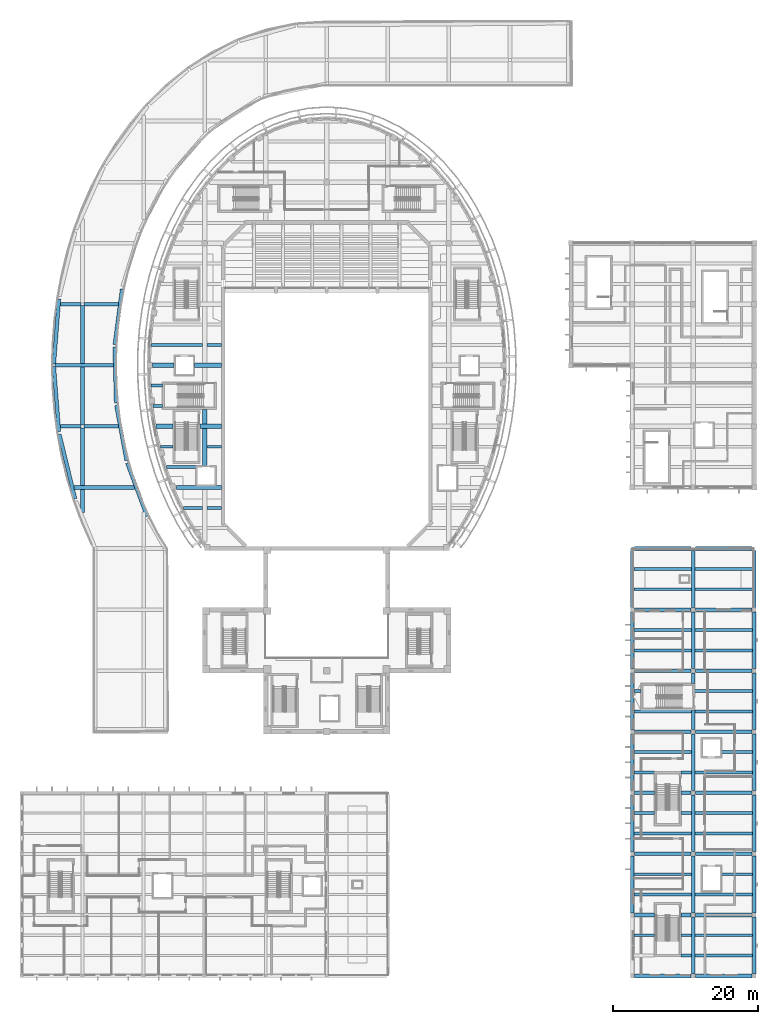
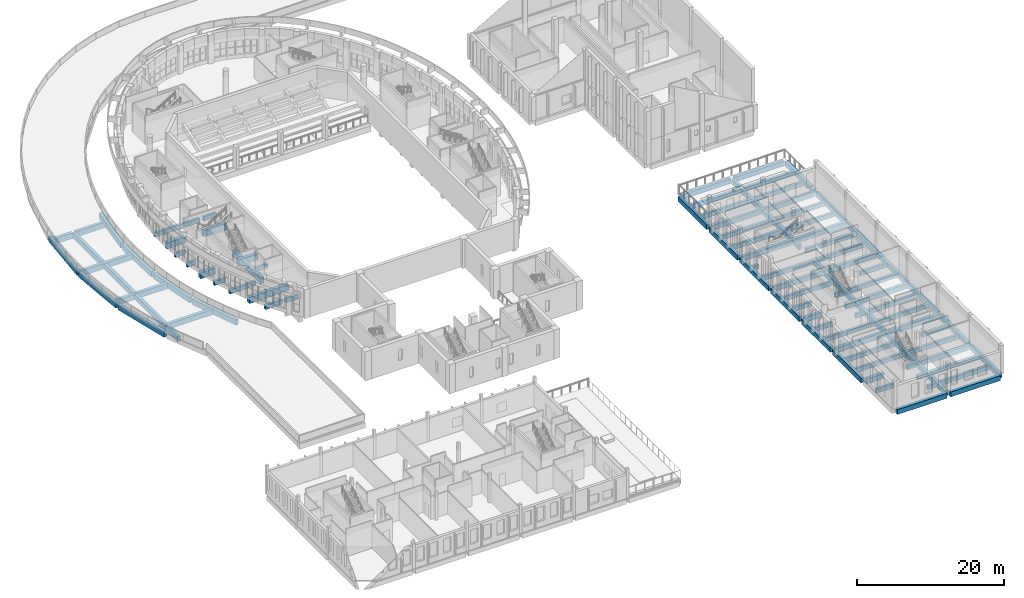
# One storey, part 3 of 79: 100 beams.
"""IFC4 building model written with IfcOpenShell, lengths in metres."""

from ifc_helpers import new_model, si_unit, direction, frame, origin, origin_2d, place, context, subcontext, project, spatial, rectangle, extrude, material, material_profile, profile_set, type_object, element, save


model = new_model("IFC4")

# Units and contexts
model_context = context("Model", 3, precision=1e-05, world=origin(), true_north=direction((0.0, 1.0)))
body_context = subcontext(model_context, "Body", "Model", "MODEL_VIEW")
ifc_project = project(units=[si_unit("LENGTHUNIT", "METRE"), si_unit("AREAUNIT", "SQUARE_METRE"), si_unit("VOLUMEUNIT", "CUBIC_METRE"), si_unit("PLANEANGLEUNIT", "RADIAN"), si_unit("MASSUNIT", "GRAM", prefix="KILO")], contexts=[model_context])

# Site, building, storey
site_placement = place(None, origin())
site = spatial("IfcSite", under=ifc_project, at=site_placement, CompositionType="ELEMENT")
building_placement = place(site_placement, origin())
building = spatial("IfcBuilding", under=site, at=building_placement, Name="Larchfold Concert Hall", CompositionType="ELEMENT")
storey_placement = place(building_placement, frame((0.0, 0.0, 14.39990234375)))
storey = spatial("IfcBuildingStorey", under=building, at=storey_placement, Name="L03", CompositionType="ELEMENT", Elevation=14.39990234375)

# Beams
ifc_material_1 = material(Name="Concrete C35/45", Category="concrete")
ifc_material_profile_1 = material_profile(ifc_material_1, rectangle(XDim=0.39990234375, YDim=0.699951171875, at=origin_2d()))
ifc_profile_set_1 = profile_set([ifc_material_profile_1], Name="Concrete C35/45")
beam_type_1 = type_object("IfcBeamType", Name="Beam RC 400x700", PredefinedType="BEAM", material=ifc_profile_set_1)
beam_1_placement = place(storey_placement, frame((91.35009765625, 3.39990234375, -0.510009765625), z_axis=(1.0, 0.0, 0.0), x_axis=(0.0, 1.0, 0.0)))
element("IfcBeam", 1, at=beam_1_placement, inside=storey, type_object=beam_type_1, Name="Beam B0699", PredefinedType="BEAM", context=body_context, shape_type="SweptSolid", body=[
    extrude(rectangle(XDim=0.39990234375, YDim=0.699951171875, at=origin_2d()), origin(), (0.0, 0.0, 1.0), 1.39990234375),
])
beam_2_placement = place(storey_placement, frame((93.25, 3.39990234375, -0.510009765625), z_axis=(1.0, 0.0, 0.0), x_axis=(0.0, 1.0, 0.0)))
element("IfcBeam", 2, at=beam_2_placement, inside=storey, type_object=beam_type_1, Name="Beam B0700", PredefinedType="BEAM", context=body_context, shape_type="SweptSolid", body=[
    extrude(rectangle(XDim=0.39990234375, YDim=0.699951171875, at=origin_2d()), origin(), (0.0, 0.0, 1.0), 7.89990234375),
])
beam_3_placement = place(storey_placement, frame((84.85009765625, 6.199951171875, -0.510009765625), z_axis=(1.0, 0.0, 0.0), x_axis=(0.0, 1.0, 0.0)))
element("IfcBeam", 3, at=beam_3_placement, inside=storey, type_object=beam_type_1, Name="Beam B0701", PredefinedType="BEAM", context=body_context, shape_type="SweptSolid", body=[
    extrude(rectangle(XDim=0.39990234375, YDim=0.699951171875, at=origin_2d()), origin(), (0.0, 0.0, 1.0), 2.7998046875),
])
beam_4_placement = place(storey_placement, frame((91.35009765625, 6.199951171875, -0.510009765625), z_axis=(1.0, 0.0, 0.0), x_axis=(0.0, 1.0, 0.0)))
element("IfcBeam", 4, at=beam_4_placement, inside=storey, type_object=beam_type_1, Name="Beam B0702", PredefinedType="BEAM", context=body_context, shape_type="SweptSolid", body=[
    extrude(rectangle(XDim=0.39990234375, YDim=0.699951171875, at=origin_2d()), origin(), (0.0, 0.0, 1.0), 1.39990234375),
])
for number, where, z_axis, x_axis, name in (
    (5, (93.25, 6.199951171875, -0.510009765625), (1.0, 0.0, 0.0), (0.0, 1.0, 0.0), "Beam B0703"),
    (6, (84.85009765625, 11.800048828125, -0.510009765625), (1.0, 0.0, 0.0), (0.0, 1.0, 0.0), "Beam B0704"),
    (7, (93.25, 11.800048828125, -0.510009765625), (1.0, 0.0, 0.0), (0.0, 1.0, 0.0), "Beam B0705"),
    (8, (84.85009765625, 14.60009765625, -0.510009765625), (1.0, 0.0, 0.0), (0.0, 1.0, 0.0), "Beam B0706"),
):
    element("IfcBeam", number, at=place(storey_placement, frame(where, z_axis=z_axis, x_axis=x_axis)), inside=storey, type_object=beam_type_1, Name=name, PredefinedType="BEAM", context=body_context, shape_type="SweptSolid", body=[
        extrude(rectangle(XDim=0.39990234375, YDim=0.699951171875, at=origin_2d()), origin(), (0.0, 0.0, 1.0), 7.89990234375),
    ])
beam_5_placement = place(storey_placement, frame((96.89990234375, 14.60009765625, -0.510009765625), z_axis=(1.0, 0.0, 0.0), x_axis=(0.0, 1.0, 0.0)))
element("IfcBeam", 9, at=beam_5_placement, inside=storey, type_object=beam_type_1, Name="Beam B0707", PredefinedType="BEAM", context=body_context, shape_type="SweptSolid", body=[
    extrude(rectangle(XDim=0.39990234375, YDim=0.699951171875, at=origin_2d()), origin(), (0.0, 0.0, 1.0), 4.25),
])
for number, where, z_axis, x_axis, name in (
    (10, (84.85009765625, 20.199951171875, -0.510009765625), (1.0, 0.0, 0.0), (0.0, 1.0, 0.0), "Beam B0708"),
    (11, (93.25, 20.199951171875, -0.510009765625), (1.0, 0.0, 0.0), (0.0, 1.0, 0.0), "Beam B0709"),
):
    element("IfcBeam", number, at=place(storey_placement, frame(where, z_axis=z_axis, x_axis=x_axis)), inside=storey, type_object=beam_type_1, Name=name, PredefinedType="BEAM", context=body_context, shape_type="SweptSolid", body=[
        extrude(rectangle(XDim=0.39990234375, YDim=0.699951171875, at=origin_2d()), origin(), (0.0, 0.0, 1.0), 7.89990234375),
    ])
beam_6_placement = place(storey_placement, frame((84.85009765625, 23.0, -0.510009765625), z_axis=(1.0, 0.0, 0.0), x_axis=(0.0, 1.0, 0.0)))
element("IfcBeam", 12, at=beam_6_placement, inside=storey, type_object=beam_type_1, Name="Beam B0710", PredefinedType="BEAM", context=body_context, shape_type="SweptSolid", body=[
    extrude(rectangle(XDim=0.39990234375, YDim=0.699951171875, at=origin_2d()), origin(), (0.0, 0.0, 1.0), 2.7998046875),
])
beam_7_placement = place(storey_placement, frame((91.35009765625, 23.0, -0.510009765625), z_axis=(1.0, 0.0, 0.0), x_axis=(0.0, 1.0, 0.0)))
element("IfcBeam", 13, at=beam_7_placement, inside=storey, type_object=beam_type_1, Name="Beam B0711", PredefinedType="BEAM", context=body_context, shape_type="SweptSolid", body=[
    extrude(rectangle(XDim=0.39990234375, YDim=0.699951171875, at=origin_2d()), origin(), (0.0, 0.0, 1.0), 1.39990234375),
])
beam_8_placement = place(storey_placement, frame((93.25, 23.0, -0.510009765625), z_axis=(1.0, 0.0, 0.0), x_axis=(0.0, 1.0, 0.0)))
element("IfcBeam", 14, at=beam_8_placement, inside=storey, type_object=beam_type_1, Name="Beam B0712", PredefinedType="BEAM", context=body_context, shape_type="SweptSolid", body=[
    extrude(rectangle(XDim=0.39990234375, YDim=0.699951171875, at=origin_2d()), origin(), (0.0, 0.0, 1.0), 7.89990234375),
])
beam_9_placement = place(storey_placement, frame((84.85009765625, 28.60009765625, -0.510009765625), z_axis=(1.0, 0.0, 0.0), x_axis=(0.0, 1.0, 0.0)))
element("IfcBeam", 15, at=beam_9_placement, inside=storey, type_object=beam_type_1, Name="Beam B0713", PredefinedType="BEAM", context=body_context, shape_type="SweptSolid", body=[
    extrude(rectangle(XDim=0.39990234375, YDim=0.699951171875, at=origin_2d()), origin(), (0.0, 0.0, 1.0), 2.7998046875),
])
beam_10_placement = place(storey_placement, frame((91.35009765625, 28.60009765625, -0.510009765625), z_axis=(1.0, 0.0, 0.0), x_axis=(0.0, 1.0, 0.0)))
element("IfcBeam", 16, at=beam_10_placement, inside=storey, type_object=beam_type_1, Name="Beam B0714", PredefinedType="BEAM", context=body_context, shape_type="SweptSolid", body=[
    extrude(rectangle(XDim=0.39990234375, YDim=0.699951171875, at=origin_2d()), origin(), (0.0, 0.0, 1.0), 1.39990234375),
])
for number, where, z_axis, x_axis, name in (
    (17, (93.25, 28.60009765625, -0.510009765625), (1.0, 0.0, 0.0), (0.0, 1.0, 0.0), "Beam B0715"),
    (18, (84.85009765625, 31.39990234375, -0.510009765625), (1.0, 0.0, 0.0), (0.0, 1.0, 0.0), "Beam B0716"),
):
    element("IfcBeam", number, at=place(storey_placement, frame(where, z_axis=z_axis, x_axis=x_axis)), inside=storey, type_object=beam_type_1, Name=name, PredefinedType="BEAM", context=body_context, shape_type="SweptSolid", body=[
        extrude(rectangle(XDim=0.39990234375, YDim=0.699951171875, at=origin_2d()), origin(), (0.0, 0.0, 1.0), 7.89990234375),
    ])
beam_11_placement = place(storey_placement, frame((96.89990234375, 31.39990234375, -0.510009765625), z_axis=(1.0, 0.0, 0.0), x_axis=(0.0, 1.0, 0.0)))
element("IfcBeam", 19, at=beam_11_placement, inside=storey, type_object=beam_type_1, Name="Beam B0717", PredefinedType="BEAM", context=body_context, shape_type="SweptSolid", body=[
    extrude(rectangle(XDim=0.39990234375, YDim=0.699951171875, at=origin_2d()), origin(), (0.0, 0.0, 1.0), 4.25),
])
for number, where, z_axis, x_axis, name in (
    (20, (84.85009765625, 37.0, -0.510009765625), (1.0, 0.0, 0.0), (0.0, 1.0, 0.0), "Beam B0718"),
    (21, (93.25, 37.0, -0.510009765625), (1.0, 0.0, 0.0), (0.0, 1.0, 0.0), "Beam B0719"),
):
    element("IfcBeam", number, at=place(storey_placement, frame(where, z_axis=z_axis, x_axis=x_axis)), inside=storey, type_object=beam_type_1, Name=name, PredefinedType="BEAM", context=body_context, shape_type="SweptSolid", body=[
        extrude(rectangle(XDim=0.39990234375, YDim=0.699951171875, at=origin_2d()), origin(), (0.0, 0.0, 1.0), 7.89990234375),
    ])
beam_12_placement = place(storey_placement, frame((84.85009765625, 39.800048828125, -0.510009765625), z_axis=(1.0, 0.0, 0.0), x_axis=(0.0, 1.0, 0.0)))
element("IfcBeam", 22, at=beam_12_placement, inside=storey, type_object=beam_type_1, Name="Beam B0720", PredefinedType="BEAM", context=body_context, shape_type="SweptSolid", body=[
    extrude(rectangle(XDim=0.39990234375, YDim=0.699951171875, at=origin_2d()), origin(), (0.0, 0.0, 1.0), 0.949951171875),
])
beam_13_placement = place(storey_placement, frame((93.199951171875, 39.800048828125, -0.510009765625), z_axis=(1.0, 0.0, 0.0), x_axis=(0.0, 1.0, 0.0)))
element("IfcBeam", 23, at=beam_13_placement, inside=storey, type_object=beam_type_1, Name="Beam B0721", PredefinedType="BEAM", context=body_context, shape_type="SweptSolid", body=[
    extrude(rectangle(XDim=0.39990234375, YDim=0.699951171875, at=origin_2d()), origin(), (0.0, 0.0, 1.0), 7.949951171875),
])
for number, where, z_axis, x_axis, name in (
    (24, (84.85009765625, 45.39990234375, -0.510009765625), (1.0, 0.0, 0.0), (0.0, 1.0, 0.0), "Beam B0722"),
    (25, (93.25, 45.39990234375, -0.510009765625), (1.0, 0.0, 0.0), (0.0, 1.0, 0.0), "Beam B0723"),
    (26, (84.85009765625, 48.199951171875, -0.510009765625), (1.0, 0.0, 0.0), (0.0, 1.0, 0.0), "Beam B0724"),
    (27, (93.25, 48.199951171875, -0.510009765625), (1.0, 0.0, 0.0), (0.0, 1.0, 0.0), "Beam B0725"),
    (28, (84.85009765625, 53.800048828125, -0.510009765625), (1.0, 0.0, 0.0), (0.0, 1.0, 0.0), "Beam B0726"),
    (29, (93.25, 53.800048828125, -0.510009765625), (1.0, 0.0, 0.0), (0.0, 1.0, 0.0), "Beam B0727"),
    (30, (84.85009765625, 56.60009765625, -0.510009765625), (1.0, 0.0, 0.0), (0.0, 1.0, 0.0), "Beam B0728"),
    (31, (93.25, 56.60009765625, -0.510009765625), (1.0, 0.0, 0.0), (0.0, 1.0, 0.0), "Beam B0729"),
):
    element("IfcBeam", number, at=place(storey_placement, frame(where, z_axis=z_axis, x_axis=x_axis)), inside=storey, type_object=beam_type_1, Name=name, PredefinedType="BEAM", context=body_context, shape_type="SweptSolid", body=[
        extrude(rectangle(XDim=0.39990234375, YDim=0.699951171875, at=origin_2d()), origin(), (0.0, 0.0, 1.0), 7.89990234375),
    ])
beam_14_placement = place(storey_placement, frame((22.860107421875, 65.0, -0.5498046875), z_axis=(1.0, 0.0, 0.0), x_axis=(0.0, 1.0, 0.0)))
element("IfcBeam", 32, at=beam_14_placement, inside=storey, type_object=beam_type_1, Name="Beam B1390", PredefinedType="BEAM", context=body_context, shape_type="SweptSolid", body=[
    extrude(rectangle(XDim=0.39990234375, YDim=0.699951171875, at=origin_2d()), origin(), (0.0, 0.0, 1.0), 2.639892578125),
])
beam_15_placement = place(storey_placement, frame((26.10009765625, 65.0, -0.5498046875), z_axis=(1.0, 0.0, 0.0), x_axis=(0.0, 1.0, 0.0)))
element("IfcBeam", 33, at=beam_15_placement, inside=storey, type_object=beam_type_1, Name="Beam B1391", PredefinedType="BEAM", context=body_context, shape_type="SweptSolid", body=[
    extrude(rectangle(XDim=0.39990234375, YDim=0.699951171875, at=origin_2d()), origin(), (0.0, 0.0, 1.0), 1.989990234375),
])
beam_16_placement = place(storey_placement, frame((20.525634765625, 70.60009765625, -0.5498046875), z_axis=(1.0, 0.0, 0.0), x_axis=(0.0, 1.0, 0.0)))
element("IfcBeam", 34, at=beam_16_placement, inside=storey, type_object=beam_type_1, Name="Beam B1394", PredefinedType="BEAM", context=body_context, shape_type="SweptSolid", body=[
    extrude(rectangle(XDim=0.39990234375, YDim=0.699951171875, at=origin_2d()), origin(), (0.0, 0.0, 1.0), 4.074462890625),
])
beam_17_placement = place(storey_placement, frame((19.72119140625, 73.39990234375, -0.5498046875), z_axis=(1.0, 0.0, 0.0), x_axis=(0.0, 1.0, 0.0)))
element("IfcBeam", 35, at=beam_17_placement, inside=storey, type_object=beam_type_1, Name="Beam B1396", PredefinedType="BEAM", context=body_context, shape_type="SweptSolid", body=[
    extrude(rectangle(XDim=0.39990234375, YDim=0.699951171875, at=origin_2d()), origin(), (0.0, 0.0, 1.0), 1.728759765625),
])
beam_18_placement = place(storey_placement, frame((26.10009765625, 73.39990234375, -0.5498046875), z_axis=(1.0, 0.0, 0.0), x_axis=(0.0, 1.0, 0.0)))
element("IfcBeam", 36, at=beam_18_placement, inside=storey, type_object=beam_type_1, Name="Beam B1397", PredefinedType="BEAM", context=body_context, shape_type="SweptSolid", body=[
    extrude(rectangle(XDim=0.39990234375, YDim=0.699951171875, at=origin_2d()), origin(), (0.0, 0.0, 1.0), 1.989990234375),
])
beam_19_placement = place(storey_placement, frame((18.68017578125, 79.0, -0.5498046875), z_axis=(1.0, 0.0, 0.0), x_axis=(0.0, 1.0, 0.0)))
element("IfcBeam", 37, at=beam_19_placement, inside=storey, type_object=beam_type_1, Name="Beam B1400", PredefinedType="BEAM", context=body_context, shape_type="SweptSolid", body=[
    extrude(rectangle(XDim=0.39990234375, YDim=0.699951171875, at=origin_2d()), origin(), (0.0, 0.0, 1.0), 1.31982421875),
])
beam_20_placement = place(storey_placement, frame((18.421875, 81.800048828125, -0.5498046875), z_axis=(1.0, 0.0, 0.0), x_axis=(0.0, 1.0, 0.0)))
element("IfcBeam", 38, at=beam_20_placement, inside=storey, type_object=beam_type_1, Name="Beam B1402", PredefinedType="BEAM", context=body_context, shape_type="SweptSolid", body=[
    extrude(rectangle(XDim=0.39990234375, YDim=0.699951171875, at=origin_2d()), origin(), (0.0, 0.0, 1.0), 1.578125),
])
beam_21_placement = place(storey_placement, frame((18.422119140625, 87.39990234375, -0.5498046875), z_axis=(1.0, 0.0, 0.0), x_axis=(0.0, 1.0, 0.0)))
element("IfcBeam", 39, at=beam_21_placement, inside=storey, type_object=beam_type_1, Name="Beam B1404", PredefinedType="BEAM", context=body_context, shape_type="SweptSolid", body=[
    extrude(rectangle(XDim=0.39990234375, YDim=0.699951171875, at=origin_2d()), origin(), (0.0, 0.0, 1.0), 7.077880859375),
])
beam_22_placement = place(storey_placement, frame((26.10009765625, 87.39990234375, -0.5498046875), z_axis=(1.0, 0.0, 0.0), x_axis=(0.0, 1.0, 0.0)))
element("IfcBeam", 40, at=beam_22_placement, inside=storey, type_object=beam_type_1, Name="Beam B1405", PredefinedType="BEAM", context=body_context, shape_type="SweptSolid", body=[
    extrude(rectangle(XDim=0.39990234375, YDim=0.699951171875, at=origin_2d()), origin(), (0.0, 0.0, 1.0), 1.989990234375),
])
ifc_material_2 = material(Name="Concrete C35/45", Category="concrete")
ifc_material_profile_2 = material_profile(ifc_material_2, rectangle(XDim=0.5, YDim=0.800048828125, at=origin_2d()))
ifc_profile_set_2 = profile_set([ifc_material_profile_2], Name="Concrete C35/45")
beam_type_2 = type_object("IfcBeamType", Name="Beam RC 500x800", PredefinedType="BEAM", material=ifc_profile_set_2)
for number, where, z_axis, x_axis, name in (
    (41, (84.60009765625, 9.300048828125, -0.559814453125), (0.0, 1.0, 0.0), (-1.0, 0.0, 0.0), "Beam B0659"),
    (42, (84.60009765625, 17.699951171875, -0.559814453125), (0.0, 1.0, 0.0), (-1.0, 0.0, 0.0), "Beam B0660"),
):
    element("IfcBeam", number, at=place(storey_placement, frame(where, z_axis=z_axis, x_axis=x_axis)), inside=storey, type_object=beam_type_2, Name=name, PredefinedType="BEAM", context=body_context, shape_type="SweptSolid", body=[
        extrude(rectangle(XDim=0.5, YDim=0.800048828125, at=origin_2d()), origin(), (0.0, 0.0, 1.0), 7.800048828125),
    ])
beam_23_placement = place(storey_placement, frame((84.60009765625, 26.10009765625, -0.559814453125), z_axis=(0.0, 1.0, 0.0), x_axis=(-1.0, 0.0, 0.0)))
element("IfcBeam", 43, at=beam_23_placement, inside=storey, type_object=beam_type_2, Name="Beam B0661", PredefinedType="BEAM", context=body_context, shape_type="SweptSolid", body=[
    extrude(rectangle(XDim=0.5, YDim=0.800048828125, at=origin_2d()), origin(), (0.0, 0.0, 1.0), 7.7998046875),
])
for number, where, z_axis, x_axis, name in (
    (44, (84.60009765625, 34.5, -0.559814453125), (0.0, 1.0, 0.0), (-1.0, 0.0, 0.0), "Beam B0662"),
    (45, (84.60009765625, 42.89990234375, -0.559814453125), (0.0, 1.0, 0.0), (-1.0, 0.0, 0.0), "Beam B0663"),
    (46, (84.60009765625, 51.300048828125, -0.559814453125), (0.0, 1.0, 0.0), (-1.0, 0.0, 0.0), "Beam B0664"),
    (47, (93.0, 0.89990234375, -0.559814453125), (0.0, 1.0, 0.0), (-1.0, 0.0, 0.0), "Beam B0665"),
    (48, (93.0, 9.300048828125, -0.559814453125), (0.0, 1.0, 0.0), (-1.0, 0.0, 0.0), "Beam B0666"),
    (49, (93.0, 17.699951171875, -0.559814453125), (0.0, 1.0, 0.0), (-1.0, 0.0, 0.0), "Beam B0667"),
):
    element("IfcBeam", number, at=place(storey_placement, frame(where, z_axis=z_axis, x_axis=x_axis)), inside=storey, type_object=beam_type_2, Name=name, PredefinedType="BEAM", context=body_context, shape_type="SweptSolid", body=[
        extrude(rectangle(XDim=0.5, YDim=0.800048828125, at=origin_2d()), origin(), (0.0, 0.0, 1.0), 7.800048828125),
    ])
beam_24_placement = place(storey_placement, frame((93.0, 26.10009765625, -0.559814453125), z_axis=(0.0, 1.0, 0.0), x_axis=(-1.0, 0.0, 0.0)))
element("IfcBeam", 50, at=beam_24_placement, inside=storey, type_object=beam_type_2, Name="Beam B0668", PredefinedType="BEAM", context=body_context, shape_type="SweptSolid", body=[
    extrude(rectangle(XDim=0.5, YDim=0.800048828125, at=origin_2d()), origin(), (0.0, 0.0, 1.0), 7.7998046875),
])
beam_25_placement = place(storey_placement, frame((93.0, 34.5, -0.559814453125), z_axis=(0.0, 1.0, 0.0), x_axis=(-1.0, 0.0, 0.0)))
element("IfcBeam", 51, at=beam_25_placement, inside=storey, type_object=beam_type_2, Name="Beam B0669", PredefinedType="BEAM", context=body_context, shape_type="SweptSolid", body=[
    extrude(rectangle(XDim=0.5, YDim=0.800048828125, at=origin_2d()), origin(), (0.0, 0.0, 1.0), 2.64990234375),
])
beam_26_placement = place(storey_placement, frame((93.0, 40.85009765625, -0.559814453125), z_axis=(0.0, 1.0, 0.0), x_axis=(-1.0, 0.0, 0.0)))
element("IfcBeam", 52, at=beam_26_placement, inside=storey, type_object=beam_type_2, Name="Beam B0670", PredefinedType="BEAM", context=body_context, shape_type="SweptSolid", body=[
    extrude(rectangle(XDim=0.5, YDim=0.800048828125, at=origin_2d()), origin(), (0.0, 0.0, 1.0), 1.449951171875),
])
for number, where, z_axis, x_axis, name in (
    (53, (93.0, 42.89990234375, -0.559814453125), (0.0, 1.0, 0.0), (-1.0, 0.0, 0.0), "Beam B0671"),
    (54, (93.0, 51.300048828125, -0.559814453125), (0.0, 1.0, 0.0), (-1.0, 0.0, 0.0), "Beam B0672"),
    (55, (101.39990234375, 0.89990234375, -0.559814453125), (0.0, 1.0, 0.0), (-1.0, 0.0, 0.0), "Beam B0673"),
    (56, (101.39990234375, 9.300048828125, -0.559814453125), (0.0, 1.0, 0.0), (-1.0, 0.0, 0.0), "Beam B0674"),
    (57, (101.39990234375, 17.699951171875, -0.559814453125), (0.0, 1.0, 0.0), (-1.0, 0.0, 0.0), "Beam B0675"),
):
    element("IfcBeam", number, at=place(storey_placement, frame(where, z_axis=z_axis, x_axis=x_axis)), inside=storey, type_object=beam_type_2, Name=name, PredefinedType="BEAM", context=body_context, shape_type="SweptSolid", body=[
        extrude(rectangle(XDim=0.5, YDim=0.800048828125, at=origin_2d()), origin(), (0.0, 0.0, 1.0), 7.800048828125),
    ])
beam_27_placement = place(storey_placement, frame((101.39990234375, 26.10009765625, -0.559814453125), z_axis=(0.0, 1.0, 0.0), x_axis=(-1.0, 0.0, 0.0)))
element("IfcBeam", 58, at=beam_27_placement, inside=storey, type_object=beam_type_2, Name="Beam B0676", PredefinedType="BEAM", context=body_context, shape_type="SweptSolid", body=[
    extrude(rectangle(XDim=0.5, YDim=0.800048828125, at=origin_2d()), origin(), (0.0, 0.0, 1.0), 7.7998046875),
])
for number, where, z_axis, x_axis, name in (
    (59, (101.39990234375, 34.5, -0.559814453125), (0.0, 1.0, 0.0), (-1.0, 0.0, 0.0), "Beam B0677"),
    (60, (101.39990234375, 42.89990234375, -0.559814453125), (0.0, 1.0, 0.0), (-1.0, 0.0, 0.0), "Beam B0678"),
    (61, (101.39990234375, 51.300048828125, -0.559814453125), (0.0, 1.0, 0.0), (-1.0, 0.0, 0.0), "Beam B0679"),
    (62, (84.89990234375, 0.60009765625, -0.559814453125), (1.0, 0.0, 0.0), (0.0, 1.0, 0.0), "Beam B0680"),
    (63, (93.300048828125, 0.60009765625, -0.559814453125), (1.0, 0.0, 0.0), (0.0, 1.0, 0.0), "Beam B0681"),
):
    element("IfcBeam", number, at=place(storey_placement, frame(where, z_axis=z_axis, x_axis=x_axis)), inside=storey, type_object=beam_type_2, Name=name, PredefinedType="BEAM", context=body_context, shape_type="SweptSolid", body=[
        extrude(rectangle(XDim=0.5, YDim=0.800048828125, at=origin_2d()), origin(), (0.0, 0.0, 1.0), 7.800048828125),
    ])
beam_28_placement = place(storey_placement, frame((84.89990234375, 9.0, -0.559814453125), z_axis=(1.0, 0.0, 0.0), x_axis=(0.0, 1.0, 0.0)))
element("IfcBeam", 64, at=beam_28_placement, inside=storey, type_object=beam_type_2, Name="Beam B0682", PredefinedType="BEAM", context=body_context, shape_type="SweptSolid", body=[
    extrude(rectangle(XDim=0.5, YDim=0.800048828125, at=origin_2d()), origin(), (0.0, 0.0, 1.0), 2.75),
])
beam_29_placement = place(storey_placement, frame((91.35009765625, 9.0, -0.559814453125), z_axis=(1.0, 0.0, 0.0), x_axis=(0.0, 1.0, 0.0)))
element("IfcBeam", 65, at=beam_29_placement, inside=storey, type_object=beam_type_2, Name="Beam B0683", PredefinedType="BEAM", context=body_context, shape_type="SweptSolid", body=[
    extrude(rectangle(XDim=0.5, YDim=0.800048828125, at=origin_2d()), origin(), (0.0, 0.0, 1.0), 1.349853515625),
])
for number, where, z_axis, x_axis, name in (
    (66, (93.300048828125, 9.0, -0.559814453125), (1.0, 0.0, 0.0), (0.0, 1.0, 0.0), "Beam B0684"),
    (67, (84.89990234375, 17.39990234375, -0.559814453125), (1.0, 0.0, 0.0), (0.0, 1.0, 0.0), "Beam B0685"),
    (68, (93.300048828125, 17.39990234375, -0.559814453125), (1.0, 0.0, 0.0), (0.0, 1.0, 0.0), "Beam B0686"),
):
    element("IfcBeam", number, at=place(storey_placement, frame(where, z_axis=z_axis, x_axis=x_axis)), inside=storey, type_object=beam_type_2, Name=name, PredefinedType="BEAM", context=body_context, shape_type="SweptSolid", body=[
        extrude(rectangle(XDim=0.5, YDim=0.800048828125, at=origin_2d()), origin(), (0.0, 0.0, 1.0), 7.800048828125),
    ])
beam_30_placement = place(storey_placement, frame((84.89990234375, 25.800048828125, -0.559814453125), z_axis=(1.0, 0.0, 0.0), x_axis=(0.0, 1.0, 0.0)))
element("IfcBeam", 69, at=beam_30_placement, inside=storey, type_object=beam_type_2, Name="Beam B0687", PredefinedType="BEAM", context=body_context, shape_type="SweptSolid", body=[
    extrude(rectangle(XDim=0.5, YDim=0.800048828125, at=origin_2d()), origin(), (0.0, 0.0, 1.0), 2.75),
])
beam_31_placement = place(storey_placement, frame((91.35009765625, 25.800048828125, -0.559814453125), z_axis=(1.0, 0.0, 0.0), x_axis=(0.0, 1.0, 0.0)))
element("IfcBeam", 70, at=beam_31_placement, inside=storey, type_object=beam_type_2, Name="Beam B0688", PredefinedType="BEAM", context=body_context, shape_type="SweptSolid", body=[
    extrude(rectangle(XDim=0.5, YDim=0.800048828125, at=origin_2d()), origin(), (0.0, 0.0, 1.0), 1.349853515625),
])
for number, where, z_axis, x_axis, name in (
    (71, (93.300048828125, 25.800048828125, -0.559814453125), (1.0, 0.0, 0.0), (0.0, 1.0, 0.0), "Beam B0689"),
    (72, (84.89990234375, 34.199951171875, -0.559814453125), (1.0, 0.0, 0.0), (0.0, 1.0, 0.0), "Beam B0690"),
    (73, (93.300048828125, 34.199951171875, -0.559814453125), (1.0, 0.0, 0.0), (0.0, 1.0, 0.0), "Beam B0691"),
    (74, (84.89990234375, 42.60009765625, -0.559814453125), (1.0, 0.0, 0.0), (0.0, 1.0, 0.0), "Beam B0692"),
    (75, (93.300048828125, 42.60009765625, -0.559814453125), (1.0, 0.0, 0.0), (0.0, 1.0, 0.0), "Beam B0693"),
    (76, (84.89990234375, 51.0, -0.559814453125), (1.0, 0.0, 0.0), (0.0, 1.0, 0.0), "Beam B0694"),
    (77, (93.300048828125, 51.0, -0.559814453125), (1.0, 0.0, 0.0), (0.0, 1.0, 0.0), "Beam B0695"),
    (78, (84.89990234375, 59.39990234375, -0.559814453125), (1.0, 0.0, 0.0), (0.0, 1.0, 0.0), "Beam B0696"),
    (79, (93.300048828125, 59.39990234375, -0.559814453125), (1.0, 0.0, 0.0), (0.0, 1.0, 0.0), "Beam B0697"),
):
    element("IfcBeam", number, at=place(storey_placement, frame(where, z_axis=z_axis, x_axis=x_axis)), inside=storey, type_object=beam_type_2, Name=name, PredefinedType="BEAM", context=body_context, shape_type="SweptSolid", body=[
        extrude(rectangle(XDim=0.5, YDim=0.800048828125, at=origin_2d()), origin(), (0.0, 0.0, 1.0), 7.800048828125),
    ])
ifc_material_3 = material(Name="Concrete C35/45", Category="concrete")
ifc_material_profile_3 = material_profile(ifc_material_3, rectangle(XDim=0.5, YDim=0.89990234375, at=origin_2d()))
ifc_profile_set_3 = profile_set([ifc_material_profile_3], Name="Concrete C35/45")
beam_type_3 = type_object("IfcBeamType", Name="Beam RC 500x900", PredefinedType="BEAM", material=ifc_profile_set_3)
beam_32_placement = place(storey_placement, frame((7.975341796875, 66.25390625, -0.599853515625), z_axis=(-0.236787334012, 0.971561505233, 0.0), x_axis=(-0.971561505233, -0.236787334012, 0.0)))
element("IfcBeam", 80, at=beam_32_placement, inside=storey, type_object=beam_type_3, Name="Beam B2009", PredefinedType="BEAM", context=body_context, shape_type="SweptSolid", body=[
    extrude(rectangle(XDim=0.5, YDim=0.89990234375, at=origin_2d()), origin(), (0.0, 0.0, 1.0), 9.12060546875),
])
beam_33_placement = place(storey_placement, frame((5.759033203125, 75.469482421875, -0.599853515625), z_axis=(-0.07785050515, 0.996965043945, 0.0), x_axis=(-0.996965043945, -0.07785050515, 0.0)))
element("IfcBeam", 81, at=beam_33_placement, inside=storey, type_object=beam_type_3, Name="Beam B2010", PredefinedType="BEAM", context=body_context, shape_type="SweptSolid", body=[
    extrude(rectangle(XDim=0.5, YDim=0.89990234375, at=origin_2d()), origin(), (0.0, 0.0, 1.0), 8.978515625),
])
beam_34_placement = place(storey_placement, frame((5.06005859375, 84.779541015625, -0.599853515625), z_axis=(0.07784417422, 0.996965538291, 0.0), x_axis=(-0.996965538291, 0.07784417422, 0.0)))
element("IfcBeam", 82, at=beam_34_placement, inside=storey, type_object=beam_type_3, Name="Beam B2011", PredefinedType="BEAM", context=body_context, shape_type="SweptSolid", body=[
    extrude(rectangle(XDim=0.5, YDim=0.89990234375, at=origin_2d()), origin(), (0.0, 0.0, 1.0), 8.979248046875),
])
beam_35_placement = place(storey_placement, frame((14.443603515625, 95.091552734375, -0.599853515625), z_axis=(-0.13031490927, -0.9914726544, 0.0), x_axis=(0.9914726544, -0.13031490927, 0.0)))
element("IfcBeam", 83, at=beam_35_placement, inside=storey, type_object=beam_type_3, Name="Beam B2026", PredefinedType="BEAM", context=body_context, shape_type="SweptSolid", body=[
    extrude(rectangle(XDim=0.5, YDim=0.89990234375, at=origin_2d()), origin(), (0.0, 0.0, 1.0), 7.690673828125),
])
beam_36_placement = place(storey_placement, frame((13.422607421875, 87.108154296875, -0.599853515625), z_axis=(0.025770376177, -0.999667888707, 0.0), x_axis=(0.999667888707, 0.025770376177, 0.0)))
element("IfcBeam", 84, at=beam_36_placement, inside=storey, type_object=beam_type_3, Name="Beam B2027", PredefinedType="BEAM", context=body_context, shape_type="SweptSolid", body=[
    extrude(rectangle(XDim=0.5, YDim=0.89990234375, at=origin_2d()), origin(), (0.0, 0.0, 1.0), 7.673583984375),
])
beam_37_placement = place(storey_placement, frame((13.657958984375, 79.080078125, -0.599853515625), z_axis=(0.182742696024, -0.983160773755, 0.0), x_axis=(0.983160773755, 0.182742696024, 0.0)))
element("IfcBeam", 85, at=beam_37_placement, inside=storey, type_object=beam_type_3, Name="Beam B2028", PredefinedType="BEAM", context=body_context, shape_type="SweptSolid", body=[
    extrude(rectangle(XDim=0.5, YDim=0.89990234375, at=origin_2d()), origin(), (0.0, 0.0, 1.0), 7.7060546875),
])
beam_38_placement = place(storey_placement, frame((15.16162109375, 71.158203125, -0.599853515625), z_axis=(0.347492860892, -0.937682628414, 0.0), x_axis=(0.937682628414, 0.347492860892, 0.0)))
element("IfcBeam", 86, at=beam_38_placement, inside=storey, type_object=beam_type_3, Name="Beam B2029", PredefinedType="BEAM", context=body_context, shape_type="SweptSolid", body=[
    extrude(rectangle(XDim=0.5, YDim=0.89990234375, at=origin_2d()), origin(), (0.0, 0.0, 1.0), 7.795166015625),
])
beam_39_placement = place(storey_placement, frame((9.0, 64.343994140625, -0.599853515625), z_axis=(0.0, 1.0, 0.0), x_axis=(-1.0, 0.0, 0.0)))
element("IfcBeam", 87, at=beam_39_placement, inside=storey, type_object=beam_type_3, Name="Beam B2031", PredefinedType="BEAM", context=body_context, shape_type="SweptSolid", body=[
    extrude(rectangle(XDim=0.5, YDim=0.89990234375, at=origin_2d()), origin(), (0.0, 0.0, 1.0), 11.656005859375),
])
beam_40_placement = place(storey_placement, frame((9.0, 76.39990234375, -0.599853515625), z_axis=(0.0, 1.0, 0.0), x_axis=(-1.0, 0.0, 0.0)))
element("IfcBeam", 88, at=beam_40_placement, inside=storey, type_object=beam_type_3, Name="Beam B2032", PredefinedType="BEAM", context=body_context, shape_type="SweptSolid", body=[
    extrude(rectangle(XDim=0.5, YDim=0.89990234375, at=origin_2d()), origin(), (0.0, 0.0, 1.0), 16.400146484375),
])
beam_41_placement = place(storey_placement, frame((7.85595703125, 67.800048828125, -0.599853515625), z_axis=(1.0, 0.0, 0.0), x_axis=(0.0, 1.0, 0.0)))
element("IfcBeam", 89, at=beam_41_placement, inside=storey, type_object=beam_type_3, Name="Beam B2053", PredefinedType="BEAM", context=body_context, shape_type="SweptSolid", body=[
    extrude(rectangle(XDim=0.5, YDim=0.89990234375, at=origin_2d()), origin(), (0.0, 0.0, 1.0), 8.283447265625),
])
beam_42_placement = place(storey_placement, frame((5.95263671875, 76.199951171875, -0.599853515625), z_axis=(1.0, 0.0, 0.0), x_axis=(0.0, 1.0, 0.0)))
element("IfcBeam", 90, at=beam_42_placement, inside=storey, type_object=beam_type_3, Name="Beam B2054", PredefinedType="BEAM", context=body_context, shape_type="SweptSolid", body=[
    extrude(rectangle(XDim=0.5, YDim=0.89990234375, at=origin_2d()), origin(), (0.0, 0.0, 1.0), 2.847412109375),
])
beam_43_placement = place(storey_placement, frame((9.199951171875, 76.199951171875, -0.599853515625), z_axis=(1.0, 0.0, 0.0), x_axis=(0.0, 1.0, 0.0)))
element("IfcBeam", 91, at=beam_43_placement, inside=storey, type_object=beam_type_3, Name="Beam B2055", PredefinedType="BEAM", context=body_context, shape_type="SweptSolid", body=[
    extrude(rectangle(XDim=0.5, YDim=0.89990234375, at=origin_2d()), origin(), (0.0, 0.0, 1.0), 4.739013671875),
])
beam_44_placement = place(storey_placement, frame((5.24609375, 84.60009765625, -0.599853515625), z_axis=(1.0, 0.0, 0.0), x_axis=(0.0, 1.0, 0.0)))
element("IfcBeam", 92, at=beam_44_placement, inside=storey, type_object=beam_type_3, Name="Beam B2056", PredefinedType="BEAM", context=body_context, shape_type="SweptSolid", body=[
    extrude(rectangle(XDim=0.5, YDim=0.89990234375, at=origin_2d()), origin(), (0.0, 0.0, 1.0), 7.9912109375),
])
beam_45_placement = place(storey_placement, frame((5.95263671875, 93.0, -0.599853515625), z_axis=(1.0, 0.0, 0.0), x_axis=(0.0, 1.0, 0.0)))
element("IfcBeam", 93, at=beam_45_placement, inside=storey, type_object=beam_type_3, Name="Beam B2057", PredefinedType="BEAM", context=body_context, shape_type="SweptSolid", body=[
    extrude(rectangle(XDim=0.5, YDim=0.89990234375, at=origin_2d()), origin(), (0.0, 0.0, 1.0), 2.847412109375),
])
beam_46_placement = place(storey_placement, frame((9.199951171875, 93.0, -0.599853515625), z_axis=(1.0, 0.0, 0.0), x_axis=(0.0, 1.0, 0.0)))
element("IfcBeam", 94, at=beam_46_placement, inside=storey, type_object=beam_type_3, Name="Beam B2058", PredefinedType="BEAM", context=body_context, shape_type="SweptSolid", body=[
    extrude(rectangle(XDim=0.5, YDim=0.89990234375, at=origin_2d()), origin(), (0.0, 0.0, 1.0), 4.716552734375),
])
ifc_material_4 = material(Name="Concrete C35/45", Category="concrete")
ifc_material_profile_4 = material_profile(ifc_material_4, rectangle(XDim=0.60009765625, YDim=1.0, at=origin_2d()))
ifc_profile_set_4 = profile_set([ifc_material_profile_4], Name="Concrete C35/45")
beam_type_4 = type_object("IfcBeamType", Name="Beam RC 600x1000", PredefinedType="BEAM", material=ifc_profile_set_4)
beam_47_placement = place(storey_placement, frame((25.800048828125, 70.800048828125, -0.699951171875), z_axis=(0.0, 1.0, 0.0), x_axis=(-1.0, 0.0, 0.0)))
element("IfcBeam", 95, at=beam_47_placement, inside=storey, type_object=beam_type_4, Name="Beam B1352", PredefinedType="BEAM", context=body_context, shape_type="SweptSolid", body=[
    extrude(rectangle(XDim=0.60009765625, YDim=1.0, at=origin_2d()), origin(), (0.0, 0.0, 1.0), 7.75),
])
beam_48_placement = place(storey_placement, frame((21.893798828125, 67.800048828125, -0.699951171875), z_axis=(1.0, 0.0, 0.0), x_axis=(0.0, 1.0, 0.0)))
element("IfcBeam", 96, at=beam_48_placement, inside=storey, type_object=beam_type_4, Name="Beam B1365", PredefinedType="BEAM", context=body_context, shape_type="SweptSolid", body=[
    extrude(rectangle(XDim=0.60009765625, YDim=1.0, at=origin_2d()), origin(), (0.0, 0.0, 1.0), 6.1962890625),
])
beam_49_placement = place(storey_placement, frame((19.1103515625, 76.199951171875, -0.699951171875), z_axis=(1.0, 0.0, 0.0), x_axis=(0.0, 1.0, 0.0)))
element("IfcBeam", 97, at=beam_49_placement, inside=storey, type_object=beam_type_4, Name="Beam B1367", PredefinedType="BEAM", context=body_context, shape_type="SweptSolid", body=[
    extrude(rectangle(XDim=0.60009765625, YDim=1.0, at=origin_2d()), origin(), (0.0, 0.0, 1.0), 2.339599609375),
])
beam_50_placement = place(storey_placement, frame((25.14990234375, 76.199951171875, -0.699951171875), z_axis=(1.0, 0.0, 0.0), x_axis=(0.0, 1.0, 0.0)))
element("IfcBeam", 98, at=beam_50_placement, inside=storey, type_object=beam_type_4, Name="Beam B1368", PredefinedType="BEAM", context=body_context, shape_type="SweptSolid", body=[
    extrude(rectangle(XDim=0.60009765625, YDim=1.0, at=origin_2d()), origin(), (0.0, 0.0, 1.0), 2.940185546875),
])
beam_51_placement = place(storey_placement, frame((18.650146484375, 84.60009765625, -0.699951171875), z_axis=(1.0, 0.0, 0.0), x_axis=(0.0, 1.0, 0.0)))
element("IfcBeam", 99, at=beam_51_placement, inside=storey, type_object=beam_type_4, Name="Beam B1371", PredefinedType="BEAM", context=body_context, shape_type="SweptSolid", body=[
    extrude(rectangle(XDim=0.60009765625, YDim=1.0, at=origin_2d()), origin(), (0.0, 0.0, 1.0), 2.949951171875),
])
beam_52_placement = place(storey_placement, frame((24.39990234375, 84.60009765625, -0.699951171875), z_axis=(1.0, 0.0, 0.0), x_axis=(0.0, 1.0, 0.0)))
element("IfcBeam", 100, at=beam_52_placement, inside=storey, type_object=beam_type_4, Name="Beam B1372", PredefinedType="BEAM", context=body_context, shape_type="SweptSolid", body=[
    extrude(rectangle(XDim=0.60009765625, YDim=1.0, at=origin_2d()), origin(), (0.0, 0.0, 1.0), 3.690185546875),
])

save(model, "model.ifc")
